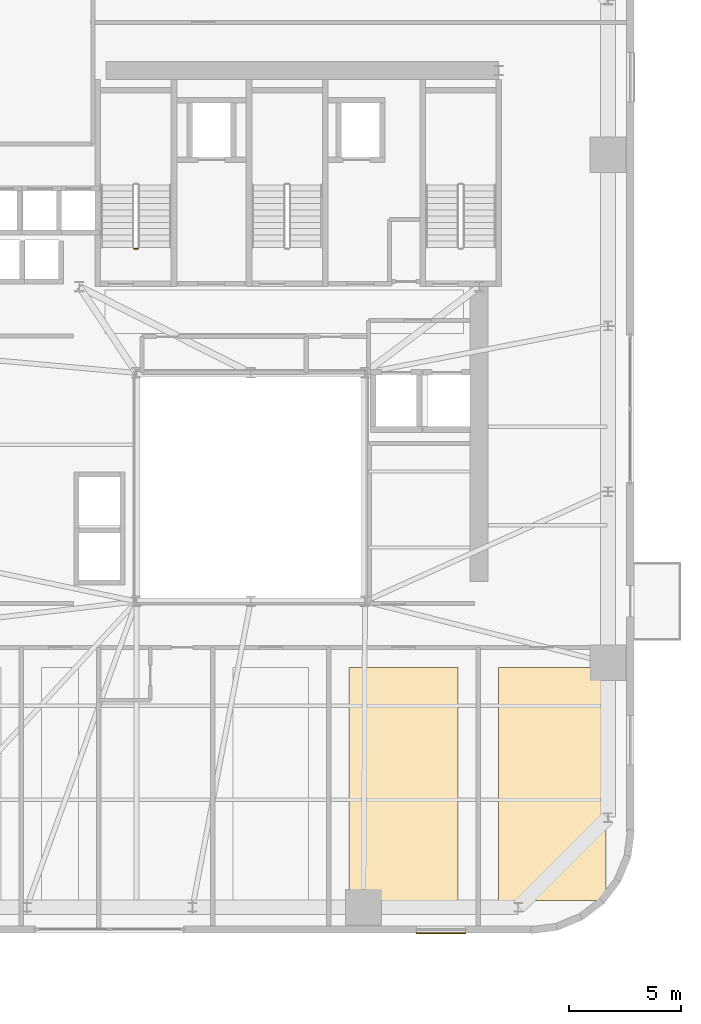
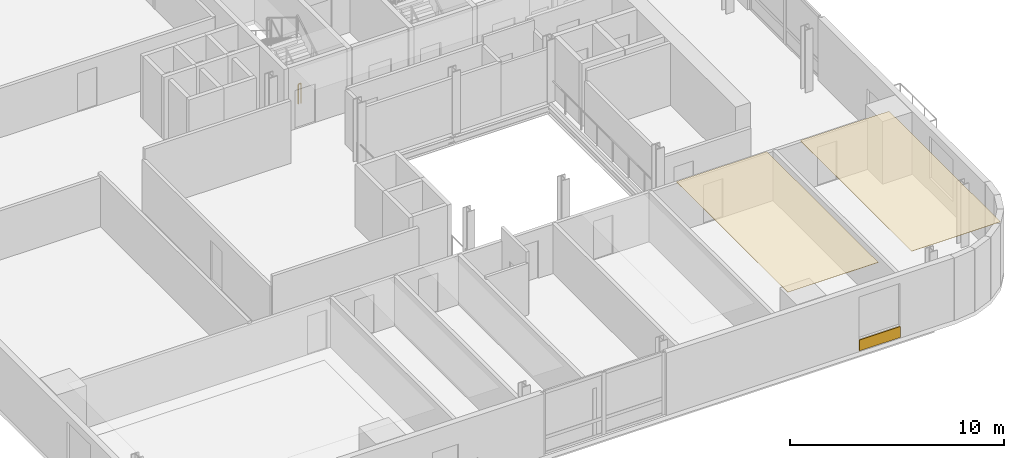
# One storey, part 11 of 14: 3 coverings, 1 railing.
"""IFC4 building model written with IfcOpenShell, lengths in metres."""

from ifc_helpers import new_model, si_unit, direction, frame, origin, origin_2d, place, context, subcontext, project, spatial, polyline, rectangle, outline, extrude, source, transform, mapped, material, layer, layer_set, type_object, element, save


model = new_model("IFC4")

# Units and contexts
model_context = context("Model", 3, precision=1e-05, world=origin(), true_north=direction((0.0, 1.0)))
body_context = subcontext(model_context, "Body", "Model", "MODEL_VIEW")
ifc_project = project(units=[si_unit("LENGTHUNIT", "METRE"), si_unit("AREAUNIT", "SQUARE_METRE"), si_unit("VOLUMEUNIT", "CUBIC_METRE"), si_unit("PLANEANGLEUNIT", "RADIAN"), si_unit("MASSUNIT", "GRAM", prefix="KILO")], contexts=[model_context])

# Site, building, storey
site_placement = place(None, origin())
site = spatial("IfcSite", under=ifc_project, at=site_placement, CompositionType="ELEMENT")
building_placement = place(site_placement, origin())
building = spatial("IfcBuilding", under=site, at=building_placement, Name="Vardaveli Station Tower", CompositionType="ELEMENT")
storey_placement = place(building_placement, frame((0.0, 0.0, 107.5)))
storey = spatial("IfcBuildingStorey", under=building, at=storey_placement, Name="L27", CompositionType="ELEMENT", Elevation=107.5)

# Coverings
ifc_material_1 = material(Name="Perforated acoustic mineral ceiling")
ifc_layer_1 = layer(ifc_material_1, 0.02001953125, Name="Perforated acoustic mineral ceiling")
ifc_layer_set_1 = layer_set([ifc_layer_1], Name="Perforated acoustic mineral ceiling")
covering_type_1 = type_object("IfcCoveringType", Name="COV-CEIL-AC20", PredefinedType="CEILING", material=ifc_layer_set_1)
covering_1_placement = place(storey_placement, frame((0.0, 0.0, 3.544921875)))
element("IfcCovering", 1, at=covering_1_placement, inside=storey, type_object=covering_type_1, Name="CEIL-L27-5", PredefinedType="CEILING", context=body_context, shape_type="SweptSolid", body=[
    extrude(outline(polyline([(40.685302734375, 3.25), (45.564208984375, 3.25), (45.564208984375, 13.64990234375), (40.685302734375, 13.64990234375), (40.685302734375, 3.25)])), origin(), (0.0, 0.0, 1.0), 0.02001953125),
])
covering_2_placement = place(storey_placement, frame((0.0, 0.0, 3.544921875)))
element("IfcCovering", 2, at=covering_2_placement, inside=storey, type_object=covering_type_1, Name="CEIL-L27-6", PredefinedType="CEILING", context=body_context, shape_type="SweptSolid", body=[
    extrude(outline(polyline([(47.3642578125, 3.25), (52.14990234375, 3.25), (52.14990234375, 13.64990234375), (47.3642578125, 13.64990234375), (47.3642578125, 3.25)])), origin(), (0.0, 0.0, 1.0), 0.02001953125),
])
ifc_material_2 = material(Name="Ventilated honed travertine stone cladding", Category="masonry")
ifc_layer_2 = layer(ifc_material_2, 0.044921875, Name="Ventilated honed travertine stone cladding")
ifc_layer_set_2 = layer_set([ifc_layer_2], Name="Ventilated honed travertine stone cladding")
covering_type_2 = type_object("IfcCoveringType", Name="COV-CLAD-TR45", PredefinedType="CLADDING", material=ifc_layer_set_2)
shared_shape_1 = source(origin(), body_context, "Body", "SweptSolid", [
    extrude(rectangle(XDim=2.199951171875, YDim=0.044921875, at=origin_2d()), origin(), (0.0, 0.0, 1.0), 0.6201171875),
])
covering_3_placement = place(storey_placement, frame((44.794921875, 1.785400390625, 0.06982421875), z_axis=(0.0, 0.0, 1.0), x_axis=(1.0, 0.0, 0.0)))
element("IfcCovering", 3, at=covering_3_placement, inside=storey, type_object=covering_type_2, Name="CLD-TR-L27-S", PredefinedType="CLADDING", context=body_context, shape_type="MappedRepresentation", body=[
    mapped(shared_shape_1, transform((0.0, 0.0, 0.0), scale=1.0)),
])

# Railing
ifc_material_3 = material(Name="Brushed AISI 316 stainless steel", Category="steel")
railing_type = type_object("IfcRailingType", Name="RL-GUARD-1150", PredefinedType="GUARDRAIL", material=ifc_material_3)
shared_shape_2 = source(origin(), body_context, "Body", "SweptSolid", [
    extrude(rectangle(XDim=0.048095703125, YDim=0.048095703125, at=origin_2d()), frame((0.0, 0.0, 1.1259765625), z_axis=(-1.0, 0.0, 0.0), x_axis=(0.0, -1.0, 0.0)), (0.0, 0.0, 1.0), 0.14990234375),
    extrude(rectangle(XDim=0.0419921875, YDim=0.0419921875, at=origin_2d()), origin(), (0.0, 0.0, 1.0), 1.101806640625),
    extrude(rectangle(XDim=0.0419921875, YDim=0.0419921875, at=origin_2d()), frame((-0.14990234375, 0.0, 0.0)), (0.0, 0.0, 1.0), 1.101806640625),
])
railing_placement = place(storey_placement, frame((31.25, 32.35009765625, 0.0)))
element("IfcRailing", 4, at=railing_placement, inside=storey, type_object=railing_type, Name="L27 ST-1 stair guard 4", PredefinedType="GUARDRAIL", context=body_context, shape_type="MappedRepresentation", body=[
    mapped(shared_shape_2, transform((0.0, 0.0, 0.0), scale=1.0)),
])

save(model, "model.ifc")
